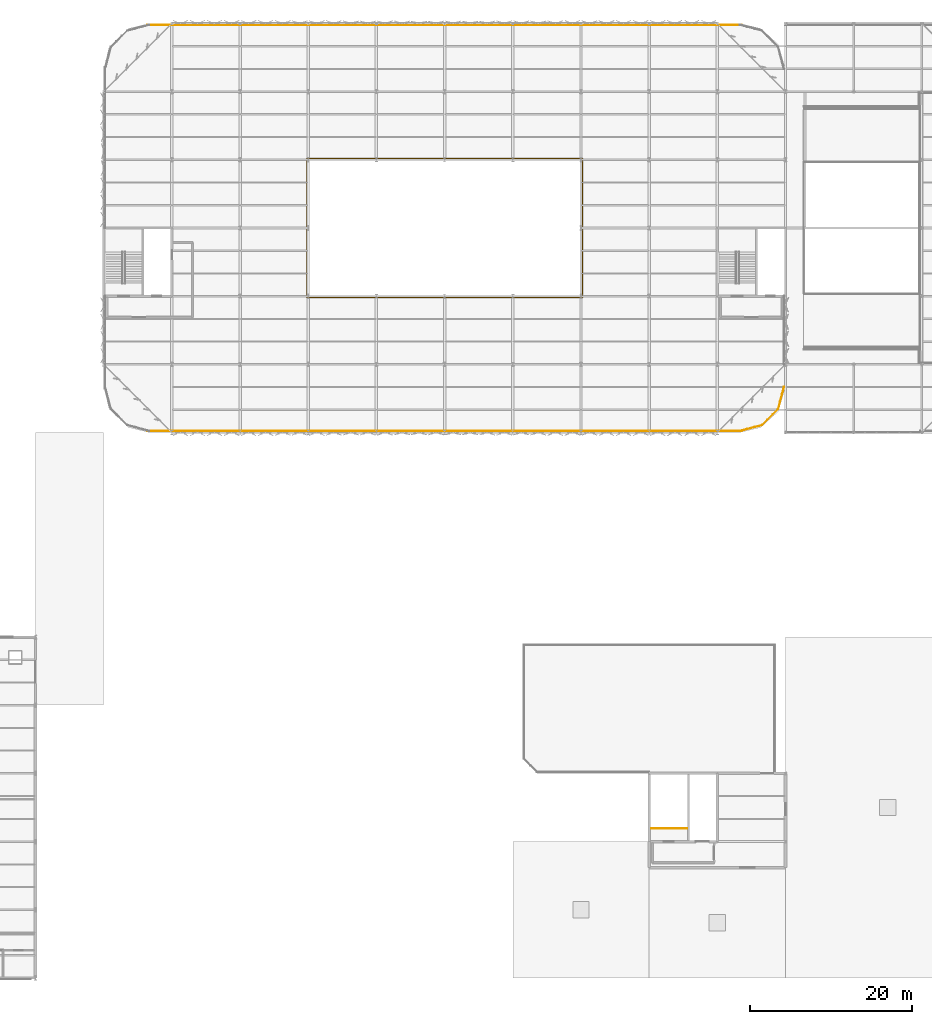
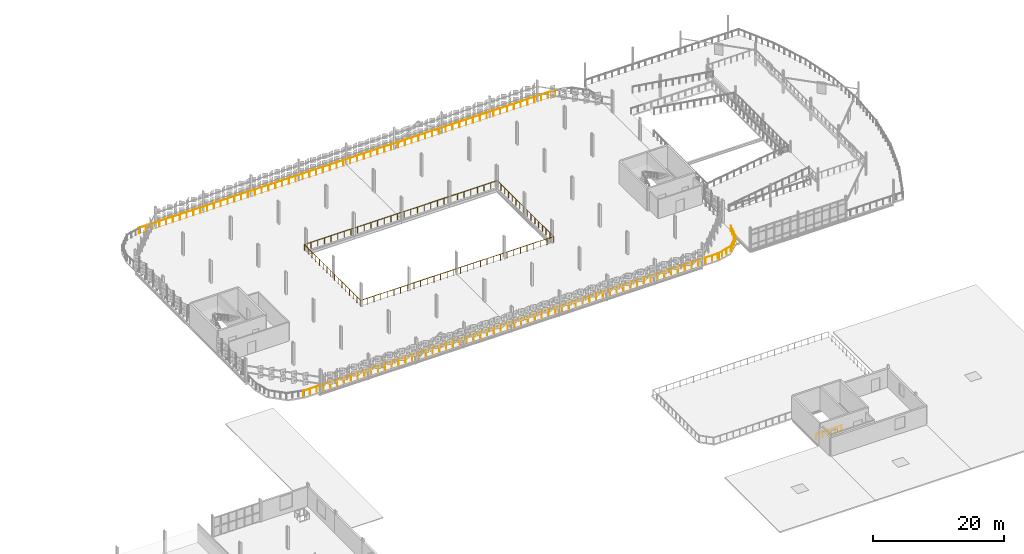
# One storey, part 66 of 69: 5 railings.
"""IFC4 building model written with IfcOpenShell, lengths in metres."""

from ifc_helpers import new_model, si_unit, direction, frame, origin, origin_2d, place, context, subcontext, project, spatial, circle, extrude, material, type_object, element, save


model = new_model("IFC4")

# Units and contexts
model_context = context("Model", 3, precision=1e-05, world=origin(), true_north=direction((0.0, 1.0)))
body_context = subcontext(model_context, "Body", "Model", "MODEL_VIEW")
ifc_project = project(units=[si_unit("LENGTHUNIT", "METRE"), si_unit("AREAUNIT", "SQUARE_METRE"), si_unit("VOLUMEUNIT", "CUBIC_METRE"), si_unit("PLANEANGLEUNIT", "RADIAN"), si_unit("MASSUNIT", "GRAM", prefix="KILO")], contexts=[model_context])

# Site, building, storey
site_placement = place(None, origin())
site = spatial("IfcSite", under=ifc_project, at=site_placement, CompositionType="ELEMENT")
building_placement = place(site_placement, origin())
building = spatial("IfcBuilding", under=site, at=building_placement, Name="Qalvenar Corner Mobility Hub", CompositionType="ELEMENT")
storey_placement = place(building_placement, frame((0.0, 0.0, 13.199951171875)))
storey = spatial("IfcBuildingStorey", under=building, at=storey_placement, Name="L03", CompositionType="ELEMENT", Elevation=13.199951171875)

# Railings
ifc_material_1 = material(Name="Art Nouveau Bronze-Finished Steel Balustrade", Category="steel")
railing_type_1 = type_object("IfcRailingType", Name="RL-GUARD-110", PredefinedType="GUARDRAIL", material=ifc_material_1)
railing_1_placement = place(storey_placement, frame((126.25, 18.39990234375, 0.0)))
element("IfcRailing", 1, at=railing_1_placement, inside=storey, type_object=railing_type_1, Name="Top Stair Landing Guard C6-L03", PredefinedType="GUARDRAIL", context=body_context, shape_type="SweptSolid", body=[
    extrude(circle(Radius=0.02392578125, at=origin_2d()), frame((0.0, 0.0, 1.09619140625), z_axis=(1.0, 0.0, 0.0), x_axis=(0.0, 1.0, 0.0)), (0.0, 0.0, 1.0), 4.449951171875),
    extrude(circle(Radius=0.02099609375, at=origin_2d()), origin(), (0.0, 0.0, 1.0), 1.072021484375),
    extrude(circle(Radius=0.02099609375, at=origin_2d()), frame((1.112548828125, 0.0, 0.0)), (0.0, 0.0, 1.0), 1.072021484375),
    extrude(circle(Radius=0.02099609375, at=origin_2d()), frame((2.22509765625, 0.0, 0.0)), (0.0, 0.0, 1.0), 1.072021484375),
    extrude(circle(Radius=0.02099609375, at=origin_2d()), frame((3.33740234375, 0.0, 0.0)), (0.0, 0.0, 1.0), 1.072021484375),
    extrude(circle(Radius=0.02099609375, at=origin_2d()), frame((4.449951171875, 0.0, 0.0)), (0.0, 0.0, 1.0), 1.072021484375),
])
ifc_material_2 = material(Name="Galvanised Steel Deck Edge Barrier", Category="steel")
railing_type_2 = type_object("IfcRailingType", Name="RL-GUARD-115", PredefinedType="GUARDRAIL", material=ifc_material_2)
railing_2_placement = place(storey_placement, frame((64.199951171875, 67.3798828125, 0.0)))
element("IfcRailing", 2, at=railing_2_placement, inside=storey, type_object=railing_type_2, Name="Parking Deck South Barrier L03", PredefinedType="GUARDRAIL", context=body_context, shape_type="SweptSolid", body=[
    extrude(circle(Radius=0.02392578125, at=origin_2d()), frame((0.0, 0.0, 1.1259765625), z_axis=(1.0, 0.0, 0.0), x_axis=(0.0, 1.0, 0.0)), (0.0, 0.0, 1.0), 73.199951171875),
    extrude(circle(Radius=0.02099609375, at=origin_2d()), origin(), (0.0, 0.0, 1.0), 1.101806640625),
    extrude(circle(Radius=0.02099609375, at=origin_2d()), frame((1.199951171875, 0.0, 0.0)), (0.0, 0.0, 1.0), 1.101806640625),
    extrude(circle(Radius=0.02099609375, at=origin_2d()), frame((2.39990234375, 0.0, 0.0)), (0.0, 0.0, 1.0), 1.101806640625),
    extrude(circle(Radius=0.02099609375, at=origin_2d()), frame((3.60009765625, 0.0, 0.0)), (0.0, 0.0, 1.0), 1.101806640625),
    extrude(circle(Radius=0.02099609375, at=origin_2d()), frame((4.800048828125, 0.0, 0.0)), (0.0, 0.0, 1.0), 1.101806640625),
    extrude(circle(Radius=0.02099609375, at=origin_2d()), frame((6.0, 0.0, 0.0)), (0.0, 0.0, 1.0), 1.101806640625),
    extrude(circle(Radius=0.02099609375, at=origin_2d()), frame((7.199951171875, 0.0, 0.0)), (0.0, 0.0, 1.0), 1.101806640625),
    extrude(circle(Radius=0.02099609375, at=origin_2d()), frame((8.39990234375, 0.0, 0.0)), (0.0, 0.0, 1.0), 1.101806640625),
    extrude(circle(Radius=0.02099609375, at=origin_2d()), frame((9.60009765625, 0.0, 0.0)), (0.0, 0.0, 1.0), 1.101806640625),
    extrude(circle(Radius=0.02099609375, at=origin_2d()), frame((10.800048828125, 0.0, 0.0)), (0.0, 0.0, 1.0), 1.101806640625),
    extrude(circle(Radius=0.02099609375, at=origin_2d()), frame((12.0, 0.0, 0.0)), (0.0, 0.0, 1.0), 1.101806640625),
    extrude(circle(Radius=0.02099609375, at=origin_2d()), frame((13.199951171875, 0.0, 0.0)), (0.0, 0.0, 1.0), 1.101806640625),
    extrude(circle(Radius=0.02099609375, at=origin_2d()), frame((14.39990234375, 0.0, 0.0)), (0.0, 0.0, 1.0), 1.101806640625),
    extrude(circle(Radius=0.02099609375, at=origin_2d()), frame((15.60009765625, 0.0, 0.0)), (0.0, 0.0, 1.0), 1.101806640625),
    extrude(circle(Radius=0.02099609375, at=origin_2d()), frame((16.800048828125, 0.0, 0.0)), (0.0, 0.0, 1.0), 1.101806640625),
    extrude(circle(Radius=0.02099609375, at=origin_2d()), frame((18.0, 0.0, 0.0)), (0.0, 0.0, 1.0), 1.101806640625),
    extrude(circle(Radius=0.02099609375, at=origin_2d()), frame((19.199951171875, 0.0, 0.0)), (0.0, 0.0, 1.0), 1.101806640625),
    extrude(circle(Radius=0.02099609375, at=origin_2d()), frame((20.39990234375, 0.0, 0.0)), (0.0, 0.0, 1.0), 1.101806640625),
    extrude(circle(Radius=0.02099609375, at=origin_2d()), frame((21.60009765625, 0.0, 0.0)), (0.0, 0.0, 1.0), 1.101806640625),
    extrude(circle(Radius=0.02099609375, at=origin_2d()), frame((22.800048828125, 0.0, 0.0)), (0.0, 0.0, 1.0), 1.101806640625),
    extrude(circle(Radius=0.02099609375, at=origin_2d()), frame((24.0, 0.0, 0.0)), (0.0, 0.0, 1.0), 1.101806640625),
    extrude(circle(Radius=0.02099609375, at=origin_2d()), frame((25.199951171875, 0.0, 0.0)), (0.0, 0.0, 1.0), 1.101806640625),
    extrude(circle(Radius=0.02099609375, at=origin_2d()), frame((26.39990234375, 0.0, 0.0)), (0.0, 0.0, 1.0), 1.101806640625),
    extrude(circle(Radius=0.02099609375, at=origin_2d()), frame((27.60009765625, 0.0, 0.0)), (0.0, 0.0, 1.0), 1.101806640625),
    extrude(circle(Radius=0.02099609375, at=origin_2d()), frame((28.800048828125, 0.0, 0.0)), (0.0, 0.0, 1.0), 1.101806640625),
    extrude(circle(Radius=0.02099609375, at=origin_2d()), frame((30.0, 0.0, 0.0)), (0.0, 0.0, 1.0), 1.101806640625),
    extrude(circle(Radius=0.02099609375, at=origin_2d()), frame((31.199951171875, 0.0, 0.0)), (0.0, 0.0, 1.0), 1.101806640625),
    extrude(circle(Radius=0.02099609375, at=origin_2d()), frame((32.39990234375, 0.0, 0.0)), (0.0, 0.0, 1.0), 1.101806640625),
    extrude(circle(Radius=0.02099609375, at=origin_2d()), frame((33.60009765625, 0.0, 0.0)), (0.0, 0.0, 1.0), 1.101806640625),
    extrude(circle(Radius=0.02099609375, at=origin_2d()), frame((34.800048828125, 0.0, 0.0)), (0.0, 0.0, 1.0), 1.101806640625),
    extrude(circle(Radius=0.02099609375, at=origin_2d()), frame((36.0, 0.0, 0.0)), (0.0, 0.0, 1.0), 1.101806640625),
    extrude(circle(Radius=0.02099609375, at=origin_2d()), frame((37.199951171875, 0.0, 0.0)), (0.0, 0.0, 1.0), 1.101806640625),
    extrude(circle(Radius=0.02099609375, at=origin_2d()), frame((38.39990234375, 0.0, 0.0)), (0.0, 0.0, 1.0), 1.101806640625),
    extrude(circle(Radius=0.02099609375, at=origin_2d()), frame((39.599853515625, 0.0, 0.0)), (0.0, 0.0, 1.0), 1.101806640625),
    extrude(circle(Radius=0.02099609375, at=origin_2d()), frame((40.800048828125, 0.0, 0.0)), (0.0, 0.0, 1.0), 1.101806640625),
    extrude(circle(Radius=0.02099609375, at=origin_2d()), frame((42.0, 0.0, 0.0)), (0.0, 0.0, 1.0), 1.101806640625),
    extrude(circle(Radius=0.02099609375, at=origin_2d()), frame((43.199951171875, 0.0, 0.0)), (0.0, 0.0, 1.0), 1.101806640625),
    extrude(circle(Radius=0.02099609375, at=origin_2d()), frame((44.39990234375, 0.0, 0.0)), (0.0, 0.0, 1.0), 1.101806640625),
    extrude(circle(Radius=0.02099609375, at=origin_2d()), frame((45.599853515625, 0.0, 0.0)), (0.0, 0.0, 1.0), 1.101806640625),
    extrude(circle(Radius=0.02099609375, at=origin_2d()), frame((46.800048828125, 0.0, 0.0)), (0.0, 0.0, 1.0), 1.101806640625),
    extrude(circle(Radius=0.02099609375, at=origin_2d()), frame((48.0, 0.0, 0.0)), (0.0, 0.0, 1.0), 1.101806640625),
    extrude(circle(Radius=0.02099609375, at=origin_2d()), frame((49.199951171875, 0.0, 0.0)), (0.0, 0.0, 1.0), 1.101806640625),
    extrude(circle(Radius=0.02099609375, at=origin_2d()), frame((50.39990234375, 0.0, 0.0)), (0.0, 0.0, 1.0), 1.101806640625),
    extrude(circle(Radius=0.02099609375, at=origin_2d()), frame((51.599853515625, 0.0, 0.0)), (0.0, 0.0, 1.0), 1.101806640625),
    extrude(circle(Radius=0.02099609375, at=origin_2d()), frame((52.800048828125, 0.0, 0.0)), (0.0, 0.0, 1.0), 1.101806640625),
    extrude(circle(Radius=0.02099609375, at=origin_2d()), frame((54.0, 0.0, 0.0)), (0.0, 0.0, 1.0), 1.101806640625),
    extrude(circle(Radius=0.02099609375, at=origin_2d()), frame((55.199951171875, 0.0, 0.0)), (0.0, 0.0, 1.0), 1.101806640625),
    extrude(circle(Radius=0.02099609375, at=origin_2d()), frame((56.39990234375, 0.0, 0.0)), (0.0, 0.0, 1.0), 1.101806640625),
    extrude(circle(Radius=0.02099609375, at=origin_2d()), frame((57.599853515625, 0.0, 0.0)), (0.0, 0.0, 1.0), 1.101806640625),
    extrude(circle(Radius=0.02099609375, at=origin_2d()), frame((58.800048828125, 0.0, 0.0)), (0.0, 0.0, 1.0), 1.101806640625),
    extrude(circle(Radius=0.02099609375, at=origin_2d()), frame((60.0, 0.0, 0.0)), (0.0, 0.0, 1.0), 1.101806640625),
    extrude(circle(Radius=0.02099609375, at=origin_2d()), frame((61.199951171875, 0.0, 0.0)), (0.0, 0.0, 1.0), 1.101806640625),
    extrude(circle(Radius=0.02099609375, at=origin_2d()), frame((62.39990234375, 0.0, 0.0)), (0.0, 0.0, 1.0), 1.101806640625),
    extrude(circle(Radius=0.02099609375, at=origin_2d()), frame((63.599853515625, 0.0, 0.0)), (0.0, 0.0, 1.0), 1.101806640625),
    extrude(circle(Radius=0.02099609375, at=origin_2d()), frame((64.800048828125, 0.0, 0.0)), (0.0, 0.0, 1.0), 1.101806640625),
    extrude(circle(Radius=0.02099609375, at=origin_2d()), frame((66.0, 0.0, 0.0)), (0.0, 0.0, 1.0), 1.101806640625),
    extrude(circle(Radius=0.02099609375, at=origin_2d()), frame((67.199951171875, 0.0, 0.0)), (0.0, 0.0, 1.0), 1.101806640625),
    extrude(circle(Radius=0.02099609375, at=origin_2d()), frame((68.39990234375, 0.0, 0.0)), (0.0, 0.0, 1.0), 1.101806640625),
    extrude(circle(Radius=0.02099609375, at=origin_2d()), frame((69.599853515625, 0.0, 0.0)), (0.0, 0.0, 1.0), 1.101806640625),
    extrude(circle(Radius=0.02099609375, at=origin_2d()), frame((70.800048828125, 0.0, 0.0)), (0.0, 0.0, 1.0), 1.101806640625),
    extrude(circle(Radius=0.02099609375, at=origin_2d()), frame((72.0, 0.0, 0.0)), (0.0, 0.0, 1.0), 1.101806640625),
    extrude(circle(Radius=0.02099609375, at=origin_2d()), frame((73.199951171875, 0.0, 0.0)), (0.0, 0.0, 1.0), 1.101806640625),
])
railing_3_placement = place(storey_placement, frame((137.39990234375, 117.419921875, 0.0)))
element("IfcRailing", 3, at=railing_3_placement, inside=storey, type_object=railing_type_2, Name="Parking Deck North Barrier L03", PredefinedType="GUARDRAIL", context=body_context, shape_type="SweptSolid", body=[
    extrude(circle(Radius=0.02392578125, at=origin_2d()), frame((0.0, 0.0, 1.1259765625), z_axis=(-1.0, 0.0, 0.0), x_axis=(0.0, -1.0, 0.0)), (0.0, 0.0, 1.0), 73.199951171875),
    extrude(circle(Radius=0.02099609375, at=origin_2d()), origin(), (0.0, 0.0, 1.0), 1.101806640625),
    extrude(circle(Radius=0.02099609375, at=origin_2d()), frame((-1.199951171875, 0.0, 0.0)), (0.0, 0.0, 1.0), 1.101806640625),
    extrude(circle(Radius=0.02099609375, at=origin_2d()), frame((-2.39990234375, 0.0, 0.0)), (0.0, 0.0, 1.0), 1.101806640625),
    extrude(circle(Radius=0.02099609375, at=origin_2d()), frame((-3.60009765625, 0.0, 0.0)), (0.0, 0.0, 1.0), 1.101806640625),
    extrude(circle(Radius=0.02099609375, at=origin_2d()), frame((-4.800048828125, 0.0, 0.0)), (0.0, 0.0, 1.0), 1.101806640625),
    extrude(circle(Radius=0.02099609375, at=origin_2d()), frame((-6.0, 0.0, 0.0)), (0.0, 0.0, 1.0), 1.101806640625),
    extrude(circle(Radius=0.02099609375, at=origin_2d()), frame((-7.199951171875, 0.0, 0.0)), (0.0, 0.0, 1.0), 1.101806640625),
    extrude(circle(Radius=0.02099609375, at=origin_2d()), frame((-8.39990234375, 0.0, 0.0)), (0.0, 0.0, 1.0), 1.101806640625),
    extrude(circle(Radius=0.02099609375, at=origin_2d()), frame((-9.60009765625, 0.0, 0.0)), (0.0, 0.0, 1.0), 1.101806640625),
    extrude(circle(Radius=0.02099609375, at=origin_2d()), frame((-10.800048828125, 0.0, 0.0)), (0.0, 0.0, 1.0), 1.101806640625),
    extrude(circle(Radius=0.02099609375, at=origin_2d()), frame((-12.0, 0.0, 0.0)), (0.0, 0.0, 1.0), 1.101806640625),
    extrude(circle(Radius=0.02099609375, at=origin_2d()), frame((-13.199951171875, 0.0, 0.0)), (0.0, 0.0, 1.0), 1.101806640625),
    extrude(circle(Radius=0.02099609375, at=origin_2d()), frame((-14.39990234375, 0.0, 0.0)), (0.0, 0.0, 1.0), 1.101806640625),
    extrude(circle(Radius=0.02099609375, at=origin_2d()), frame((-15.60009765625, 0.0, 0.0)), (0.0, 0.0, 1.0), 1.101806640625),
    extrude(circle(Radius=0.02099609375, at=origin_2d()), frame((-16.800048828125, 0.0, 0.0)), (0.0, 0.0, 1.0), 1.101806640625),
    extrude(circle(Radius=0.02099609375, at=origin_2d()), frame((-18.0, 0.0, 0.0)), (0.0, 0.0, 1.0), 1.101806640625),
    extrude(circle(Radius=0.02099609375, at=origin_2d()), frame((-19.199951171875, 0.0, 0.0)), (0.0, 0.0, 1.0), 1.101806640625),
    extrude(circle(Radius=0.02099609375, at=origin_2d()), frame((-20.39990234375, 0.0, 0.0)), (0.0, 0.0, 1.0), 1.101806640625),
    extrude(circle(Radius=0.02099609375, at=origin_2d()), frame((-21.60009765625, 0.0, 0.0)), (0.0, 0.0, 1.0), 1.101806640625),
    extrude(circle(Radius=0.02099609375, at=origin_2d()), frame((-22.800048828125, 0.0, 0.0)), (0.0, 0.0, 1.0), 1.101806640625),
    extrude(circle(Radius=0.02099609375, at=origin_2d()), frame((-24.0, 0.0, 0.0)), (0.0, 0.0, 1.0), 1.101806640625),
    extrude(circle(Radius=0.02099609375, at=origin_2d()), frame((-25.199951171875, 0.0, 0.0)), (0.0, 0.0, 1.0), 1.101806640625),
    extrude(circle(Radius=0.02099609375, at=origin_2d()), frame((-26.39990234375, 0.0, 0.0)), (0.0, 0.0, 1.0), 1.101806640625),
    extrude(circle(Radius=0.02099609375, at=origin_2d()), frame((-27.60009765625, 0.0, 0.0)), (0.0, 0.0, 1.0), 1.101806640625),
    extrude(circle(Radius=0.02099609375, at=origin_2d()), frame((-28.800048828125, 0.0, 0.0)), (0.0, 0.0, 1.0), 1.101806640625),
    extrude(circle(Radius=0.02099609375, at=origin_2d()), frame((-30.0, 0.0, 0.0)), (0.0, 0.0, 1.0), 1.101806640625),
    extrude(circle(Radius=0.02099609375, at=origin_2d()), frame((-31.199951171875, 0.0, 0.0)), (0.0, 0.0, 1.0), 1.101806640625),
    extrude(circle(Radius=0.02099609375, at=origin_2d()), frame((-32.39990234375, 0.0, 0.0)), (0.0, 0.0, 1.0), 1.101806640625),
    extrude(circle(Radius=0.02099609375, at=origin_2d()), frame((-33.60009765625, 0.0, 0.0)), (0.0, 0.0, 1.0), 1.101806640625),
    extrude(circle(Radius=0.02099609375, at=origin_2d()), frame((-34.800048828125, 0.0, 0.0)), (0.0, 0.0, 1.0), 1.101806640625),
    extrude(circle(Radius=0.02099609375, at=origin_2d()), frame((-36.0, 0.0, 0.0)), (0.0, 0.0, 1.0), 1.101806640625),
    extrude(circle(Radius=0.02099609375, at=origin_2d()), frame((-37.199951171875, 0.0, 0.0)), (0.0, 0.0, 1.0), 1.101806640625),
    extrude(circle(Radius=0.02099609375, at=origin_2d()), frame((-38.39990234375, 0.0, 0.0)), (0.0, 0.0, 1.0), 1.101806640625),
    extrude(circle(Radius=0.02099609375, at=origin_2d()), frame((-39.599853515625, 0.0, 0.0)), (0.0, 0.0, 1.0), 1.101806640625),
    extrude(circle(Radius=0.02099609375, at=origin_2d()), frame((-40.800048828125, 0.0, 0.0)), (0.0, 0.0, 1.0), 1.101806640625),
    extrude(circle(Radius=0.02099609375, at=origin_2d()), frame((-42.0, 0.0, 0.0)), (0.0, 0.0, 1.0), 1.101806640625),
    extrude(circle(Radius=0.02099609375, at=origin_2d()), frame((-43.199951171875, 0.0, 0.0)), (0.0, 0.0, 1.0), 1.101806640625),
    extrude(circle(Radius=0.02099609375, at=origin_2d()), frame((-44.39990234375, 0.0, 0.0)), (0.0, 0.0, 1.0), 1.101806640625),
    extrude(circle(Radius=0.02099609375, at=origin_2d()), frame((-45.599853515625, 0.0, 0.0)), (0.0, 0.0, 1.0), 1.101806640625),
    extrude(circle(Radius=0.02099609375, at=origin_2d()), frame((-46.800048828125, 0.0, 0.0)), (0.0, 0.0, 1.0), 1.101806640625),
    extrude(circle(Radius=0.02099609375, at=origin_2d()), frame((-48.0, 0.0, 0.0)), (0.0, 0.0, 1.0), 1.101806640625),
    extrude(circle(Radius=0.02099609375, at=origin_2d()), frame((-49.199951171875, 0.0, 0.0)), (0.0, 0.0, 1.0), 1.101806640625),
    extrude(circle(Radius=0.02099609375, at=origin_2d()), frame((-50.39990234375, 0.0, 0.0)), (0.0, 0.0, 1.0), 1.101806640625),
    extrude(circle(Radius=0.02099609375, at=origin_2d()), frame((-51.599853515625, 0.0, 0.0)), (0.0, 0.0, 1.0), 1.101806640625),
    extrude(circle(Radius=0.02099609375, at=origin_2d()), frame((-52.800048828125, 0.0, 0.0)), (0.0, 0.0, 1.0), 1.101806640625),
    extrude(circle(Radius=0.02099609375, at=origin_2d()), frame((-54.0, 0.0, 0.0)), (0.0, 0.0, 1.0), 1.101806640625),
    extrude(circle(Radius=0.02099609375, at=origin_2d()), frame((-55.199951171875, 0.0, 0.0)), (0.0, 0.0, 1.0), 1.101806640625),
    extrude(circle(Radius=0.02099609375, at=origin_2d()), frame((-56.39990234375, 0.0, 0.0)), (0.0, 0.0, 1.0), 1.101806640625),
    extrude(circle(Radius=0.02099609375, at=origin_2d()), frame((-57.599853515625, 0.0, 0.0)), (0.0, 0.0, 1.0), 1.101806640625),
    extrude(circle(Radius=0.02099609375, at=origin_2d()), frame((-58.800048828125, 0.0, 0.0)), (0.0, 0.0, 1.0), 1.101806640625),
    extrude(circle(Radius=0.02099609375, at=origin_2d()), frame((-60.0, 0.0, 0.0)), (0.0, 0.0, 1.0), 1.101806640625),
    extrude(circle(Radius=0.02099609375, at=origin_2d()), frame((-61.199951171875, 0.0, 0.0)), (0.0, 0.0, 1.0), 1.101806640625),
    extrude(circle(Radius=0.02099609375, at=origin_2d()), frame((-62.39990234375, 0.0, 0.0)), (0.0, 0.0, 1.0), 1.101806640625),
    extrude(circle(Radius=0.02099609375, at=origin_2d()), frame((-63.599853515625, 0.0, 0.0)), (0.0, 0.0, 1.0), 1.101806640625),
    extrude(circle(Radius=0.02099609375, at=origin_2d()), frame((-64.800048828125, 0.0, 0.0)), (0.0, 0.0, 1.0), 1.101806640625),
    extrude(circle(Radius=0.02099609375, at=origin_2d()), frame((-66.0, 0.0, 0.0)), (0.0, 0.0, 1.0), 1.101806640625),
    extrude(circle(Radius=0.02099609375, at=origin_2d()), frame((-67.199951171875, 0.0, 0.0)), (0.0, 0.0, 1.0), 1.101806640625),
    extrude(circle(Radius=0.02099609375, at=origin_2d()), frame((-68.39990234375, 0.0, 0.0)), (0.0, 0.0, 1.0), 1.101806640625),
    extrude(circle(Radius=0.02099609375, at=origin_2d()), frame((-69.599853515625, 0.0, 0.0)), (0.0, 0.0, 1.0), 1.101806640625),
    extrude(circle(Radius=0.02099609375, at=origin_2d()), frame((-70.800048828125, 0.0, 0.0)), (0.0, 0.0, 1.0), 1.101806640625),
    extrude(circle(Radius=0.02099609375, at=origin_2d()), frame((-72.0, 0.0, 0.0)), (0.0, 0.0, 1.0), 1.101806640625),
    extrude(circle(Radius=0.02099609375, at=origin_2d()), frame((-73.199951171875, 0.0, 0.0)), (0.0, 0.0, 1.0), 1.101806640625),
])
railing_4_placement = place(storey_placement, frame((137.199951171875, 67.3798828125, 0.0)))
element("IfcRailing", 4, at=railing_4_placement, inside=storey, type_object=railing_type_2, Name="Rounded Corner Barrier L03-SE", PredefinedType="GUARDRAIL", context=body_context, shape_type="SweptSolid", body=[
    extrude(circle(Radius=0.02392578125, at=origin_2d()), frame((0.0, 0.0, 1.1259765625), z_axis=(0.965909204481, 0.25888107057, 0.0), x_axis=(-0.25888107057, 0.965909204481, 0.0)), (0.0, 0.0, 1.0), 2.8056640625),
    extrude(circle(Radius=0.02392578125, at=origin_2d()), frame((2.7099609375, 0.726318359375, 1.1259765625), z_axis=(0.707106781187, 0.707106781187, 0.0), x_axis=(-0.707106781187, 0.707106781187, 0.0)), (0.0, 0.0, 1.0), 2.8056640625),
    extrude(circle(Radius=0.02392578125, at=origin_2d()), frame((4.69384765625, 2.710205078125, 1.1259765625), z_axis=(0.25888107057, 0.965909204481, 0.0), x_axis=(-0.965909204481, 0.25888107057, 0.0)), (0.0, 0.0, 1.0), 2.8056640625),
    extrude(circle(Radius=0.02099609375, at=origin_2d()), origin(), (0.0, 0.0, 1.0), 1.101806640625),
    extrude(circle(Radius=0.02099609375, at=origin_2d()), frame((0.9033203125, 0.2421875, 0.0)), (0.0, 0.0, 1.0), 1.101806640625),
    extrude(circle(Radius=0.02099609375, at=origin_2d()), frame((1.806640625, 0.484130859375, 0.0)), (0.0, 0.0, 1.0), 1.101806640625),
    extrude(circle(Radius=0.02099609375, at=origin_2d()), frame((2.7099609375, 0.726318359375, 0.0)), (0.0, 0.0, 1.0), 1.101806640625),
    extrude(circle(Radius=0.02099609375, at=origin_2d()), frame((3.371337890625, 1.3876953125, 0.0)), (0.0, 0.0, 1.0), 1.101806640625),
    extrude(circle(Radius=0.02099609375, at=origin_2d()), frame((4.032470703125, 2.048828125, 0.0)), (0.0, 0.0, 1.0), 1.101806640625),
    extrude(circle(Radius=0.02099609375, at=origin_2d()), frame((4.69384765625, 2.710205078125, 0.0)), (0.0, 0.0, 1.0), 1.101806640625),
    extrude(circle(Radius=0.02099609375, at=origin_2d()), frame((4.93603515625, 3.613525390625, 0.0)), (0.0, 0.0, 1.0), 1.101806640625),
    extrude(circle(Radius=0.02099609375, at=origin_2d()), frame((5.177978515625, 4.516845703125, 0.0)), (0.0, 0.0, 1.0), 1.101806640625),
    extrude(circle(Radius=0.02099609375, at=origin_2d()), frame((5.420166015625, 5.420166015625, 0.0)), (0.0, 0.0, 1.0), 1.101806640625),
])
railing_5_placement = place(storey_placement, frame((83.820068359375, 83.820068359375, 0.0)))
element("IfcRailing", 5, at=railing_5_placement, inside=storey, type_object=railing_type_2, Name="Lightwell Perimeter Guardrail L03", PredefinedType="GUARDRAIL", context=body_context, shape_type="SweptSolid", body=[
    extrude(circle(Radius=0.02392578125, at=origin_2d()), frame((0.0, 0.0, 1.1259765625), z_axis=(1.0, 0.0, 0.0), x_axis=(0.0, 1.0, 0.0)), (0.0, 0.0, 1.0), 33.9599609375),
    extrude(circle(Radius=0.02392578125, at=origin_2d()), frame((33.9599609375, 0.0, 1.1259765625), z_axis=(0.0, 1.0, 0.0), x_axis=(-1.0, 0.0, 0.0)), (0.0, 0.0, 1.0), 17.159912109375),
    extrude(circle(Radius=0.02392578125, at=origin_2d()), frame((33.9599609375, 17.159912109375, 1.1259765625), z_axis=(-1.0, 0.0, 0.0), x_axis=(0.0, -1.0, 0.0)), (0.0, 0.0, 1.0), 33.9599609375),
    extrude(circle(Radius=0.02392578125, at=origin_2d()), frame((0.0, 17.159912109375, 1.1259765625), z_axis=(0.0, -1.0, 0.0), x_axis=(1.0, 0.0, 0.0)), (0.0, 0.0, 1.0), 17.159912109375),
    extrude(circle(Radius=0.02099609375, at=origin_2d()), origin(), (0.0, 0.0, 1.0), 1.101806640625),
    extrude(circle(Radius=0.02099609375, at=origin_2d()), frame((1.171142578125, 0.0, 0.0)), (0.0, 0.0, 1.0), 1.101806640625),
    extrude(circle(Radius=0.02099609375, at=origin_2d()), frame((2.342041015625, 0.0, 0.0)), (0.0, 0.0, 1.0), 1.101806640625),
    extrude(circle(Radius=0.02099609375, at=origin_2d()), frame((3.51318359375, 0.0, 0.0)), (0.0, 0.0, 1.0), 1.101806640625),
    extrude(circle(Radius=0.02099609375, at=origin_2d()), frame((4.68408203125, 0.0, 0.0)), (0.0, 0.0, 1.0), 1.101806640625),
    extrude(circle(Radius=0.02099609375, at=origin_2d()), frame((5.855224609375, 0.0, 0.0)), (0.0, 0.0, 1.0), 1.101806640625),
    extrude(circle(Radius=0.02099609375, at=origin_2d()), frame((7.026123046875, 0.0, 0.0)), (0.0, 0.0, 1.0), 1.101806640625),
    extrude(circle(Radius=0.02099609375, at=origin_2d()), frame((8.197265625, 0.0, 0.0)), (0.0, 0.0, 1.0), 1.101806640625),
    extrude(circle(Radius=0.02099609375, at=origin_2d()), frame((9.3681640625, 0.0, 0.0)), (0.0, 0.0, 1.0), 1.101806640625),
    extrude(circle(Radius=0.02099609375, at=origin_2d()), frame((10.539306640625, 0.0, 0.0)), (0.0, 0.0, 1.0), 1.101806640625),
    extrude(circle(Radius=0.02099609375, at=origin_2d()), frame((11.71044921875, 0.0, 0.0)), (0.0, 0.0, 1.0), 1.101806640625),
    extrude(circle(Radius=0.02099609375, at=origin_2d()), frame((12.88134765625, 0.0, 0.0)), (0.0, 0.0, 1.0), 1.101806640625),
    extrude(circle(Radius=0.02099609375, at=origin_2d()), frame((14.052490234375, 0.0, 0.0)), (0.0, 0.0, 1.0), 1.101806640625),
    extrude(circle(Radius=0.02099609375, at=origin_2d()), frame((15.223388671875, 0.0, 0.0)), (0.0, 0.0, 1.0), 1.101806640625),
    extrude(circle(Radius=0.02099609375, at=origin_2d()), frame((16.39453125, 0.0, 0.0)), (0.0, 0.0, 1.0), 1.101806640625),
    extrude(circle(Radius=0.02099609375, at=origin_2d()), frame((17.5654296875, 0.0, 0.0)), (0.0, 0.0, 1.0), 1.101806640625),
    extrude(circle(Radius=0.02099609375, at=origin_2d()), frame((18.736572265625, 0.0, 0.0)), (0.0, 0.0, 1.0), 1.101806640625),
    extrude(circle(Radius=0.02099609375, at=origin_2d()), frame((19.907470703125, 0.0, 0.0)), (0.0, 0.0, 1.0), 1.101806640625),
    extrude(circle(Radius=0.02099609375, at=origin_2d()), frame((21.07861328125, 0.0, 0.0)), (0.0, 0.0, 1.0), 1.101806640625),
    extrude(circle(Radius=0.02099609375, at=origin_2d()), frame((22.24951171875, 0.0, 0.0)), (0.0, 0.0, 1.0), 1.101806640625),
    extrude(circle(Radius=0.02099609375, at=origin_2d()), frame((23.420654296875, 0.0, 0.0)), (0.0, 0.0, 1.0), 1.101806640625),
    extrude(circle(Radius=0.02099609375, at=origin_2d()), frame((24.591796875, 0.0, 0.0)), (0.0, 0.0, 1.0), 1.101806640625),
    extrude(circle(Radius=0.02099609375, at=origin_2d()), frame((25.7626953125, 0.0, 0.0)), (0.0, 0.0, 1.0), 1.101806640625),
    extrude(circle(Radius=0.02099609375, at=origin_2d()), frame((26.933837890625, 0.0, 0.0)), (0.0, 0.0, 1.0), 1.101806640625),
    extrude(circle(Radius=0.02099609375, at=origin_2d()), frame((28.104736328125, 0.0, 0.0)), (0.0, 0.0, 1.0), 1.101806640625),
    extrude(circle(Radius=0.02099609375, at=origin_2d()), frame((29.27587890625, 0.0, 0.0)), (0.0, 0.0, 1.0), 1.101806640625),
    extrude(circle(Radius=0.02099609375, at=origin_2d()), frame((30.44677734375, 0.0, 0.0)), (0.0, 0.0, 1.0), 1.101806640625),
    extrude(circle(Radius=0.02099609375, at=origin_2d()), frame((31.617919921875, 0.0, 0.0)), (0.0, 0.0, 1.0), 1.101806640625),
    extrude(circle(Radius=0.02099609375, at=origin_2d()), frame((32.788818359375, 0.0, 0.0)), (0.0, 0.0, 1.0), 1.101806640625),
    extrude(circle(Radius=0.02099609375, at=origin_2d()), frame((33.9599609375, 0.0, 0.0)), (0.0, 0.0, 1.0), 1.101806640625),
    extrude(circle(Radius=0.02099609375, at=origin_2d()), frame((33.9599609375, 1.14404296875, 0.0)), (0.0, 0.0, 1.0), 1.101806640625),
    extrude(circle(Radius=0.02099609375, at=origin_2d()), frame((33.9599609375, 2.2880859375, 0.0)), (0.0, 0.0, 1.0), 1.101806640625),
    extrude(circle(Radius=0.02099609375, at=origin_2d()), frame((33.9599609375, 3.431884765625, 0.0)), (0.0, 0.0, 1.0), 1.101806640625),
    extrude(circle(Radius=0.02099609375, at=origin_2d()), frame((33.9599609375, 4.575927734375, 0.0)), (0.0, 0.0, 1.0), 1.101806640625),
    extrude(circle(Radius=0.02099609375, at=origin_2d()), frame((33.9599609375, 5.719970703125, 0.0)), (0.0, 0.0, 1.0), 1.101806640625),
    extrude(circle(Radius=0.02099609375, at=origin_2d()), frame((33.9599609375, 6.864013671875, 0.0)), (0.0, 0.0, 1.0), 1.101806640625),
    extrude(circle(Radius=0.02099609375, at=origin_2d()), frame((33.9599609375, 8.008056640625, 0.0)), (0.0, 0.0, 1.0), 1.101806640625),
    extrude(circle(Radius=0.02099609375, at=origin_2d()), frame((33.9599609375, 9.15185546875, 0.0)), (0.0, 0.0, 1.0), 1.101806640625),
    extrude(circle(Radius=0.02099609375, at=origin_2d()), frame((33.9599609375, 10.2958984375, 0.0)), (0.0, 0.0, 1.0), 1.101806640625),
    extrude(circle(Radius=0.02099609375, at=origin_2d()), frame((33.9599609375, 11.43994140625, 0.0)), (0.0, 0.0, 1.0), 1.101806640625),
    extrude(circle(Radius=0.02099609375, at=origin_2d()), frame((33.9599609375, 12.583984375, 0.0)), (0.0, 0.0, 1.0), 1.101806640625),
    extrude(circle(Radius=0.02099609375, at=origin_2d()), frame((33.9599609375, 13.72802734375, 0.0)), (0.0, 0.0, 1.0), 1.101806640625),
    extrude(circle(Radius=0.02099609375, at=origin_2d()), frame((33.9599609375, 14.871826171875, 0.0)), (0.0, 0.0, 1.0), 1.101806640625),
    extrude(circle(Radius=0.02099609375, at=origin_2d()), frame((33.9599609375, 16.015869140625, 0.0)), (0.0, 0.0, 1.0), 1.101806640625),
    extrude(circle(Radius=0.02099609375, at=origin_2d()), frame((33.9599609375, 17.159912109375, 0.0)), (0.0, 0.0, 1.0), 1.101806640625),
    extrude(circle(Radius=0.02099609375, at=origin_2d()), frame((32.788818359375, 17.159912109375, 0.0)), (0.0, 0.0, 1.0), 1.101806640625),
    extrude(circle(Radius=0.02099609375, at=origin_2d()), frame((31.617919921875, 17.159912109375, 0.0)), (0.0, 0.0, 1.0), 1.101806640625),
    extrude(circle(Radius=0.02099609375, at=origin_2d()), frame((30.44677734375, 17.159912109375, 0.0)), (0.0, 0.0, 1.0), 1.101806640625),
    extrude(circle(Radius=0.02099609375, at=origin_2d()), frame((29.27587890625, 17.159912109375, 0.0)), (0.0, 0.0, 1.0), 1.101806640625),
    extrude(circle(Radius=0.02099609375, at=origin_2d()), frame((28.104736328125, 17.159912109375, 0.0)), (0.0, 0.0, 1.0), 1.101806640625),
    extrude(circle(Radius=0.02099609375, at=origin_2d()), frame((26.933837890625, 17.159912109375, 0.0)), (0.0, 0.0, 1.0), 1.101806640625),
    extrude(circle(Radius=0.02099609375, at=origin_2d()), frame((25.7626953125, 17.159912109375, 0.0)), (0.0, 0.0, 1.0), 1.101806640625),
    extrude(circle(Radius=0.02099609375, at=origin_2d()), frame((24.591796875, 17.159912109375, 0.0)), (0.0, 0.0, 1.0), 1.101806640625),
    extrude(circle(Radius=0.02099609375, at=origin_2d()), frame((23.420654296875, 17.159912109375, 0.0)), (0.0, 0.0, 1.0), 1.101806640625),
    extrude(circle(Radius=0.02099609375, at=origin_2d()), frame((22.24951171875, 17.159912109375, 0.0)), (0.0, 0.0, 1.0), 1.101806640625),
    extrude(circle(Radius=0.02099609375, at=origin_2d()), frame((21.07861328125, 17.159912109375, 0.0)), (0.0, 0.0, 1.0), 1.101806640625),
    extrude(circle(Radius=0.02099609375, at=origin_2d()), frame((19.907470703125, 17.159912109375, 0.0)), (0.0, 0.0, 1.0), 1.101806640625),
    extrude(circle(Radius=0.02099609375, at=origin_2d()), frame((18.736572265625, 17.159912109375, 0.0)), (0.0, 0.0, 1.0), 1.101806640625),
    extrude(circle(Radius=0.02099609375, at=origin_2d()), frame((17.5654296875, 17.159912109375, 0.0)), (0.0, 0.0, 1.0), 1.101806640625),
    extrude(circle(Radius=0.02099609375, at=origin_2d()), frame((16.39453125, 17.159912109375, 0.0)), (0.0, 0.0, 1.0), 1.101806640625),
    extrude(circle(Radius=0.02099609375, at=origin_2d()), frame((15.223388671875, 17.159912109375, 0.0)), (0.0, 0.0, 1.0), 1.101806640625),
    extrude(circle(Radius=0.02099609375, at=origin_2d()), frame((14.052490234375, 17.159912109375, 0.0)), (0.0, 0.0, 1.0), 1.101806640625),
    extrude(circle(Radius=0.02099609375, at=origin_2d()), frame((12.88134765625, 17.159912109375, 0.0)), (0.0, 0.0, 1.0), 1.101806640625),
    extrude(circle(Radius=0.02099609375, at=origin_2d()), frame((11.71044921875, 17.159912109375, 0.0)), (0.0, 0.0, 1.0), 1.101806640625),
    extrude(circle(Radius=0.02099609375, at=origin_2d()), frame((10.539306640625, 17.159912109375, 0.0)), (0.0, 0.0, 1.0), 1.101806640625),
    extrude(circle(Radius=0.02099609375, at=origin_2d()), frame((9.3681640625, 17.159912109375, 0.0)), (0.0, 0.0, 1.0), 1.101806640625),
    extrude(circle(Radius=0.02099609375, at=origin_2d()), frame((8.197265625, 17.159912109375, 0.0)), (0.0, 0.0, 1.0), 1.101806640625),
    extrude(circle(Radius=0.02099609375, at=origin_2d()), frame((7.026123046875, 17.159912109375, 0.0)), (0.0, 0.0, 1.0), 1.101806640625),
    extrude(circle(Radius=0.02099609375, at=origin_2d()), frame((5.855224609375, 17.159912109375, 0.0)), (0.0, 0.0, 1.0), 1.101806640625),
    extrude(circle(Radius=0.02099609375, at=origin_2d()), frame((4.68408203125, 17.159912109375, 0.0)), (0.0, 0.0, 1.0), 1.101806640625),
    extrude(circle(Radius=0.02099609375, at=origin_2d()), frame((3.51318359375, 17.159912109375, 0.0)), (0.0, 0.0, 1.0), 1.101806640625),
    extrude(circle(Radius=0.02099609375, at=origin_2d()), frame((2.342041015625, 17.159912109375, 0.0)), (0.0, 0.0, 1.0), 1.101806640625),
    extrude(circle(Radius=0.02099609375, at=origin_2d()), frame((1.171142578125, 17.159912109375, 0.0)), (0.0, 0.0, 1.0), 1.101806640625),
    extrude(circle(Radius=0.02099609375, at=origin_2d()), frame((0.0, 17.159912109375, 0.0)), (0.0, 0.0, 1.0), 1.101806640625),
    extrude(circle(Radius=0.02099609375, at=origin_2d()), frame((0.0, 16.015869140625, 0.0)), (0.0, 0.0, 1.0), 1.101806640625),
    extrude(circle(Radius=0.02099609375, at=origin_2d()), frame((0.0, 14.871826171875, 0.0)), (0.0, 0.0, 1.0), 1.101806640625),
    extrude(circle(Radius=0.02099609375, at=origin_2d()), frame((0.0, 13.72802734375, 0.0)), (0.0, 0.0, 1.0), 1.101806640625),
    extrude(circle(Radius=0.02099609375, at=origin_2d()), frame((0.0, 12.583984375, 0.0)), (0.0, 0.0, 1.0), 1.101806640625),
    extrude(circle(Radius=0.02099609375, at=origin_2d()), frame((0.0, 11.43994140625, 0.0)), (0.0, 0.0, 1.0), 1.101806640625),
    extrude(circle(Radius=0.02099609375, at=origin_2d()), frame((0.0, 10.2958984375, 0.0)), (0.0, 0.0, 1.0), 1.101806640625),
    extrude(circle(Radius=0.02099609375, at=origin_2d()), frame((0.0, 9.15185546875, 0.0)), (0.0, 0.0, 1.0), 1.101806640625),
    extrude(circle(Radius=0.02099609375, at=origin_2d()), frame((0.0, 8.008056640625, 0.0)), (0.0, 0.0, 1.0), 1.101806640625),
    extrude(circle(Radius=0.02099609375, at=origin_2d()), frame((0.0, 6.864013671875, 0.0)), (0.0, 0.0, 1.0), 1.101806640625),
    extrude(circle(Radius=0.02099609375, at=origin_2d()), frame((0.0, 5.719970703125, 0.0)), (0.0, 0.0, 1.0), 1.101806640625),
    extrude(circle(Radius=0.02099609375, at=origin_2d()), frame((0.0, 4.575927734375, 0.0)), (0.0, 0.0, 1.0), 1.101806640625),
    extrude(circle(Radius=0.02099609375, at=origin_2d()), frame((0.0, 3.431884765625, 0.0)), (0.0, 0.0, 1.0), 1.101806640625),
    extrude(circle(Radius=0.02099609375, at=origin_2d()), frame((0.0, 2.2880859375, 0.0)), (0.0, 0.0, 1.0), 1.101806640625),
    extrude(circle(Radius=0.02099609375, at=origin_2d()), frame((0.0, 1.14404296875, 0.0)), (0.0, 0.0, 1.0), 1.101806640625),
])

save(model, "model.ifc")
